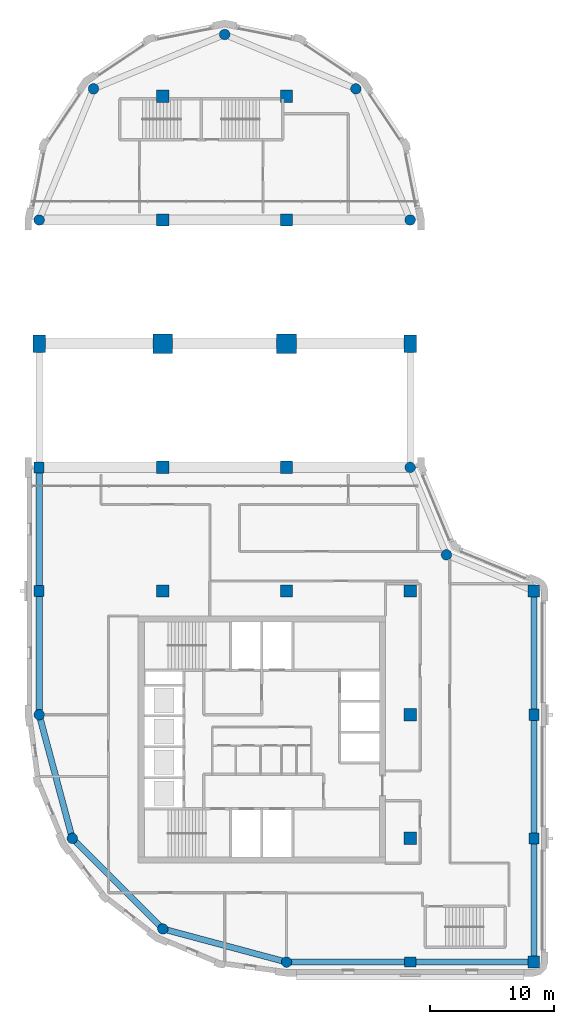
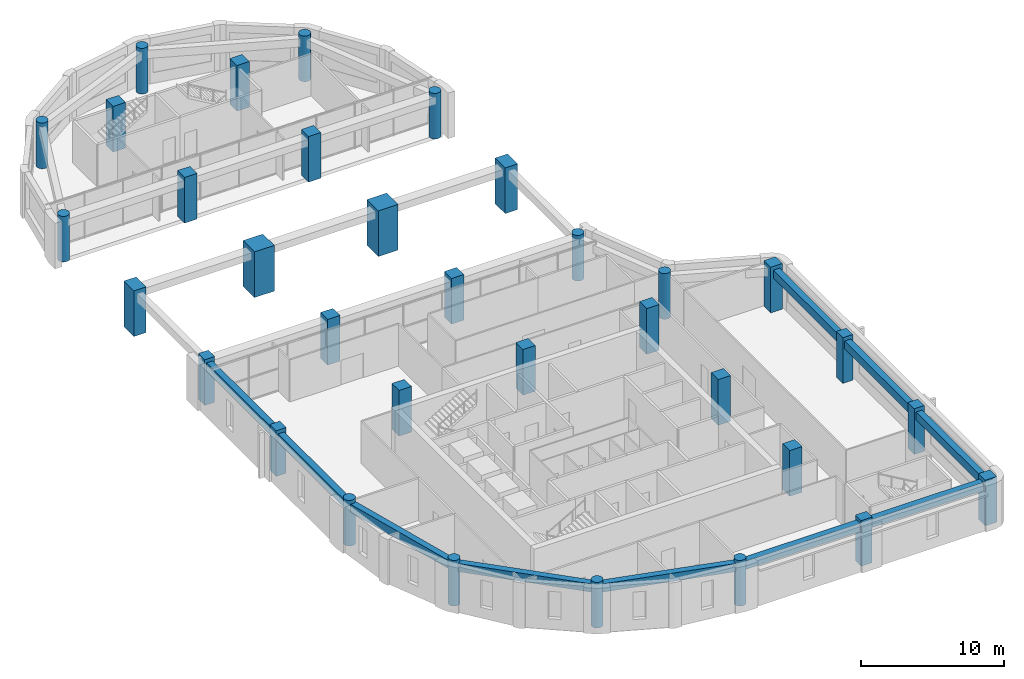
# One storey, part 1 of 11: 33 columns, 10 beams.
"""IFC4 building model written with IfcOpenShell, lengths in metres."""

from ifc_helpers import new_model, si_unit, direction, frame, origin, origin_2d, place, context, subcontext, project, spatial, rectangle, circle, extrude, material, material_profile, profile_set, type_object, element, save


model = new_model("IFC4")

# Units and contexts
model_context = context("Model", 3, precision=1e-05, world=origin(), true_north=direction((0.0, 1.0)))
body_context = subcontext(model_context, "Body", "Model", "MODEL_VIEW")
ifc_project = project(units=[si_unit("LENGTHUNIT", "METRE"), si_unit("AREAUNIT", "SQUARE_METRE"), si_unit("VOLUMEUNIT", "CUBIC_METRE"), si_unit("PLANEANGLEUNIT", "RADIAN"), si_unit("MASSUNIT", "GRAM", prefix="KILO")], contexts=[model_context])

# Site, building, storey
site_placement = place(None, origin())
site = spatial("IfcSite", under=ifc_project, at=site_placement, CompositionType="ELEMENT")
building_placement = place(site_placement, origin())
building = spatial("IfcBuilding", under=site, at=building_placement, Name="Qaws Garden Tower", CompositionType="ELEMENT")
storey_placement = place(building_placement, frame((0.0, 0.0, 317.699951171875)))
storey = spatial("IfcBuildingStorey", under=building, at=storey_placement, Name="L77", CompositionType="ELEMENT", Elevation=317.699951171875)

# Columns
ifc_material_1 = material(Name="Concrete C60", Category="concrete")
ifc_material_profile_1 = material_profile(ifc_material_1, rectangle(XDim=1.0, YDim=1.0, at=origin_2d()), Name="RC 1000x1000")
ifc_profile_set_1 = profile_set([ifc_material_profile_1], Name="Concrete C60")
column_type_1 = type_object("IfcColumnType", Name="Column RC 1000x1000 C60", PredefinedType="COLUMN", material=ifc_profile_set_1)
for number, where, z_axis, x_axis, name in (
    (1, (10.0, 30.0, 0.0), (0.0, 0.0, 1.0), (1.0, 0.0, 0.0), "Column L77-021"),
    (2, (10.0, 40.0, 0.0), (0.0, 0.0, 1.0), (1.0, 0.0, 0.0), "Column L77-022"),
    (3, (10.0, 60.0, 0.0), (0.0, 0.0, 1.0), (1.0, 0.0, 0.0), "Column L77-024"),
    (4, (10.0, 70.0, 0.0), (0.0, 0.0, 1.0), (1.0, 0.0, 0.0), "Column L77-025"),
    (5, (20.0, 30.0, 0.0), (0.0, 0.0, 1.0), (1.0, 0.0, 0.0), "Column L77-026"),
    (6, (20.0, 40.0, 0.0), (0.0, 0.0, 1.0), (1.0, 0.0, 0.0), "Column L77-027"),
    (7, (20.0, 60.0, 0.0), (0.0, 0.0, 1.0), (1.0, 0.0, 0.0), "Column L77-029"),
    (8, (20.0, 70.0, 0.0), (0.0, 0.0, 1.0), (1.0, 0.0, 0.0), "Column L77-030"),
    (9, (30.0, 10.0, 0.0), (0.0, 0.0, 1.0), (1.0, 0.0, 0.0), "Column L77-031"),
    (10, (30.0, 20.0, 0.0), (0.0, 0.0, 1.0), (1.0, 0.0, 0.0), "Column L77-032"),
    (11, (30.0, 30.0, 0.0), (0.0, 0.0, 1.0), (1.0, 0.0, 0.0), "Column L77-033"),
):
    element("IfcColumn", number, at=place(storey_placement, frame(where, z_axis=z_axis, x_axis=x_axis)), inside=storey, type_object=column_type_1, Name=name, PredefinedType="COLUMN", context=body_context, shape_type="SweptSolid", body=[
        extrude(rectangle(XDim=1.0, YDim=1.0, at=origin_2d()), origin(), (0.0, 0.0, 1.0), 3.900146484375),
    ])
ifc_material_2 = material(Name="Concrete C60", Category="concrete")
ifc_material_profile_2 = material_profile(ifc_material_2, rectangle(XDim=1.39990234375, YDim=1.0, at=origin_2d()), Name="RC 1400x1000")
ifc_profile_set_2 = profile_set([ifc_material_profile_2], Name="Concrete C60")
column_type_2 = type_object("IfcColumnType", Name="Column RC 1400x1000 C60", PredefinedType="COLUMN", material=ifc_profile_set_2)
for number, where, z_axis, x_axis, name in (
    (12, (30.0, 50.0, 0.0), (0.0, 0.0, 1.0), (0.0, 1.0, 0.0), "Column L77-009"),
    (13, (0.0, 50.0, 0.0), (0.0, 0.0, 1.0), (0.0, 1.0, 0.0), "Column L77-015"),
):
    element("IfcColumn", number, at=place(storey_placement, frame(where, z_axis=z_axis, x_axis=x_axis)), inside=storey, type_object=column_type_2, Name=name, PredefinedType="COLUMN", context=body_context, shape_type="SweptSolid", body=[
        extrude(rectangle(XDim=1.39990234375, YDim=1.0, at=origin_2d()), origin(), (0.0, 0.0, 1.0), 3.900146484375),
    ])
ifc_material_3 = material(Name="Concrete C60", Category="concrete")
ifc_material_profile_3 = material_profile(ifc_material_3, rectangle(XDim=1.60009765625, YDim=1.60009765625, at=origin_2d()), Name="RC 1600x1600")
ifc_profile_set_3 = profile_set([ifc_material_profile_3], Name="Concrete C60")
column_type_3 = type_object("IfcColumnType", Name="Column RC 1600x1600 C60", PredefinedType="COLUMN", material=ifc_profile_set_3)
for number, where, z_axis, x_axis, name in (
    (14, (10.0, 50.0, 0.0), (0.0, 0.0, 1.0), (1.0, 0.0, 0.0), "Column L77-023"),
    (15, (20.0, 50.0, 0.0), (0.0, 0.0, 1.0), (1.0, 0.0, 0.0), "Column L77-028"),
):
    element("IfcColumn", number, at=place(storey_placement, frame(where, z_axis=z_axis, x_axis=x_axis)), inside=storey, type_object=column_type_3, Name=name, PredefinedType="COLUMN", context=body_context, shape_type="SweptSolid", body=[
        extrude(rectangle(XDim=1.60009765625, YDim=1.60009765625, at=origin_2d()), origin(), (0.0, 0.0, 1.0), 3.900146484375),
    ])
ifc_material_4 = material(Name="Concrete C60", Category="concrete")
ifc_material_profile_4 = material_profile(ifc_material_4, rectangle(XDim=0.89990234375, YDim=0.800048828125, at=origin_2d()), Name="RC 900x800")
ifc_profile_set_4 = profile_set([ifc_material_profile_4], Name="Concrete C60")
column_type_4 = type_object("IfcColumnType", Name="Column RC 900x800 C60", PredefinedType="COLUMN", material=ifc_profile_set_4)
for number, where, z_axis, x_axis, name in (
    (16, (30.0, 0.0, 0.0), (0.0, 0.0, 1.0), (1.0, 0.0, 0.0), "Column L77-002"),
    (17, (40.0, 10.0, 0.0), (0.0, 0.0, 1.0), (0.0, 1.0, 0.0), "Column L77-004"),
    (18, (40.0, 20.0, 0.0), (0.0, 0.0, 1.0), (0.0, 1.0, 0.0), "Column L77-005"),
    (19, (0.0, 40.0, 0.0), (0.0, 0.0, 1.0), (0.0, 1.0, 0.0), "Column L77-016"),
    (20, (0.0, 30.0, 0.0), (0.0, 0.0, 1.0), (0.0, 1.0, 0.0), "Column L77-017"),
):
    element("IfcColumn", number, at=place(storey_placement, frame(where, z_axis=z_axis, x_axis=x_axis)), inside=storey, type_object=column_type_4, Name=name, PredefinedType="COLUMN", context=body_context, shape_type="SweptSolid", body=[
        extrude(rectangle(XDim=0.89990234375, YDim=0.800048828125, at=origin_2d()), origin(), (0.0, 0.0, 1.0), 3.900146484375),
    ])
ifc_material_5 = material(Name="Concrete C60", Category="concrete")
ifc_material_profile_5 = material_profile(ifc_material_5, rectangle(XDim=0.949951171875, YDim=0.949951171875, at=origin_2d()), Name="RC 950x950")
ifc_profile_set_5 = profile_set([ifc_material_profile_5], Name="Concrete C60")
column_type_5 = type_object("IfcColumnType", Name="Column RC 950x950 C60", PredefinedType="COLUMN", material=ifc_profile_set_5)
for number, where, z_axis, x_axis, name in (
    (21, (40.0, 0.0, 0.0), (0.0, 0.0, 1.0), (1.0, 0.0, 0.0), "Column L77-003"),
    (22, (40.0, 30.0, 0.0), (0.0, 0.0, 1.0), (1.0, 0.0, 0.0), "Column L77-006"),
):
    element("IfcColumn", number, at=place(storey_placement, frame(where, z_axis=z_axis, x_axis=x_axis)), inside=storey, type_object=column_type_5, Name=name, PredefinedType="COLUMN", context=body_context, shape_type="SweptSolid", body=[
        extrude(rectangle(XDim=0.949951171875, YDim=0.949951171875, at=origin_2d()), origin(), (0.0, 0.0, 1.0), 3.900146484375),
    ])
ifc_material_6 = material(Name="Concrete C60", Category="concrete")
ifc_material_profile_6 = material_profile(ifc_material_6, circle(Radius=0.425048828125, at=origin_2d()), Name="RC D850")
ifc_profile_set_6 = profile_set([ifc_material_profile_6], Name="Concrete C60")
column_type_6 = type_object("IfcColumnType", Name="Column RC D850 C60", PredefinedType="COLUMN", material=ifc_profile_set_6)
for number, where, z_axis, x_axis, name in (
    (23, (20.0, 0.0, 0.0), (0.0, 0.0, 1.0), (1.0, 0.0, 0.0), "Column L77-001"),
    (24, (32.928955078125, 32.928955078125, 0.0), (0.0, 0.0, 1.0), (1.0, 0.0, 0.0), "Column L77-007"),
    (25, (30.0, 40.0, 0.0), (0.0, 0.0, 1.0), (1.0, 0.0, 0.0), "Column L77-008"),
    (26, (30.0, 60.0, 0.0), (0.0, 0.0, 1.0), (1.0, 0.0, 0.0), "Column L77-010"),
    (27, (25.606689453125, 70.606689453125, 0.0), (0.0, 0.0, 1.0), (1.0, 0.0, 0.0), "Column L77-011"),
    (28, (15.0, 75.0, 0.0), (0.0, 0.0, 1.0), (1.0, 0.0, 0.0), "Column L77-012"),
    (29, (4.393310546875, 70.606689453125, 0.0), (0.0, 0.0, 1.0), (1.0, 0.0, 0.0), "Column L77-013"),
    (30, (0.0, 60.0, 0.0), (0.0, 0.0, 1.0), (1.0, 0.0, 0.0), "Column L77-014"),
    (31, (0.0, 20.0, 0.0), (0.0, 0.0, 1.0), (1.0, 0.0, 0.0), "Column L77-018"),
    (32, (2.679443359375, 10.0, 0.0), (0.0, 0.0, 1.0), (1.0, 0.0, 0.0), "Column L77-019"),
    (33, (10.0, 2.679443359375, 0.0), (0.0, 0.0, 1.0), (1.0, 0.0, 0.0), "Column L77-020"),
):
    element("IfcColumn", number, at=place(storey_placement, frame(where, z_axis=z_axis, x_axis=x_axis)), inside=storey, type_object=column_type_6, Name=name, PredefinedType="COLUMN", context=body_context, shape_type="SweptSolid", body=[
        extrude(circle(Radius=0.425048828125, at=origin_2d()), origin(), (0.0, 0.0, 1.0), 3.900146484375),
    ])

# Beams
ifc_material_7 = material(Name="Concrete C45", Category="concrete")
ifc_material_profile_7 = material_profile(ifc_material_7, rectangle(XDim=0.5, YDim=0.699951171875, at=origin_2d()), Name="RC 500x700")
ifc_profile_set_7 = profile_set([ifc_material_profile_7], Name="Concrete C45")
beam_type = type_object("IfcBeamType", Name="Spandrel beam RC 500x700 C45", PredefinedType="SPANDREL", material=ifc_profile_set_7)
for number, where, z_axis, x_axis, name in (
    (34, (20.0, 0.0, 3.22998046875), (1.0, 0.0, 0.0), (0.0, 1.0, 0.0), "Spandrel beam L77-001"),
    (35, (30.0, 0.0, 3.22998046875), (1.0, 0.0, 0.0), (0.0, 1.0, 0.0), "Spandrel beam L77-002"),
    (36, (40.0, 0.0, 3.22998046875), (0.0, 1.0, 0.0), (-1.0, 0.0, 0.0), "Spandrel beam L77-003"),
    (37, (40.0, 10.0, 3.22998046875), (0.0, 1.0, 0.0), (-1.0, 0.0, 0.0), "Spandrel beam L77-004"),
    (38, (40.0, 20.0, 3.22998046875), (0.0, 1.0, 0.0), (-1.0, 0.0, 0.0), "Spandrel beam L77-005"),
    (39, (0.0, 40.0, 3.22998046875), (0.0, -1.0, 0.0), (1.0, 0.0, 0.0), "Spandrel beam L77-014"),
    (40, (0.0, 30.0, 3.22998046875), (0.0, -1.0, 0.0), (1.0, 0.0, 0.0), "Spandrel beam L77-015"),
):
    element("IfcBeam", number, at=place(storey_placement, frame(where, z_axis=z_axis, x_axis=x_axis)), inside=storey, type_object=beam_type, Name=name, PredefinedType="SPANDREL", context=body_context, shape_type="SweptSolid", body=[
        extrude(rectangle(XDim=0.5, YDim=0.699951171875, at=origin_2d()), origin(), (0.0, 0.0, 1.0), 10.0),
    ])
for number, where, z_axis, x_axis, name in (
    (41, (0.0, 20.0, 3.22998046875), (0.25881466832, -0.965926999034, 0.0), (0.965926999034, 0.25881466832, 0.0), "Spandrel beam L77-016"),
    (42, (2.679443359375, 10.0, 3.22998046875), (0.707106781187, -0.707106781187, 0.0), (0.707106781187, 0.707106781187, 0.0), "Spandrel beam L77-017"),
    (43, (10.0, 2.679443359375, 3.22998046875), (0.965926999034, -0.25881466832, 0.0), (0.25881466832, 0.965926999034, 0.0), "Spandrel beam L77-018"),
):
    element("IfcBeam", number, at=place(storey_placement, frame(where, z_axis=z_axis, x_axis=x_axis)), inside=storey, type_object=beam_type, Name=name, PredefinedType="SPANDREL", context=body_context, shape_type="SweptSolid", body=[
        extrude(rectangle(XDim=0.5, YDim=0.699951171875, at=origin_2d()), origin(), (0.0, 0.0, 1.0), 10.352783203125),
    ])

save(model, "model.ifc")
